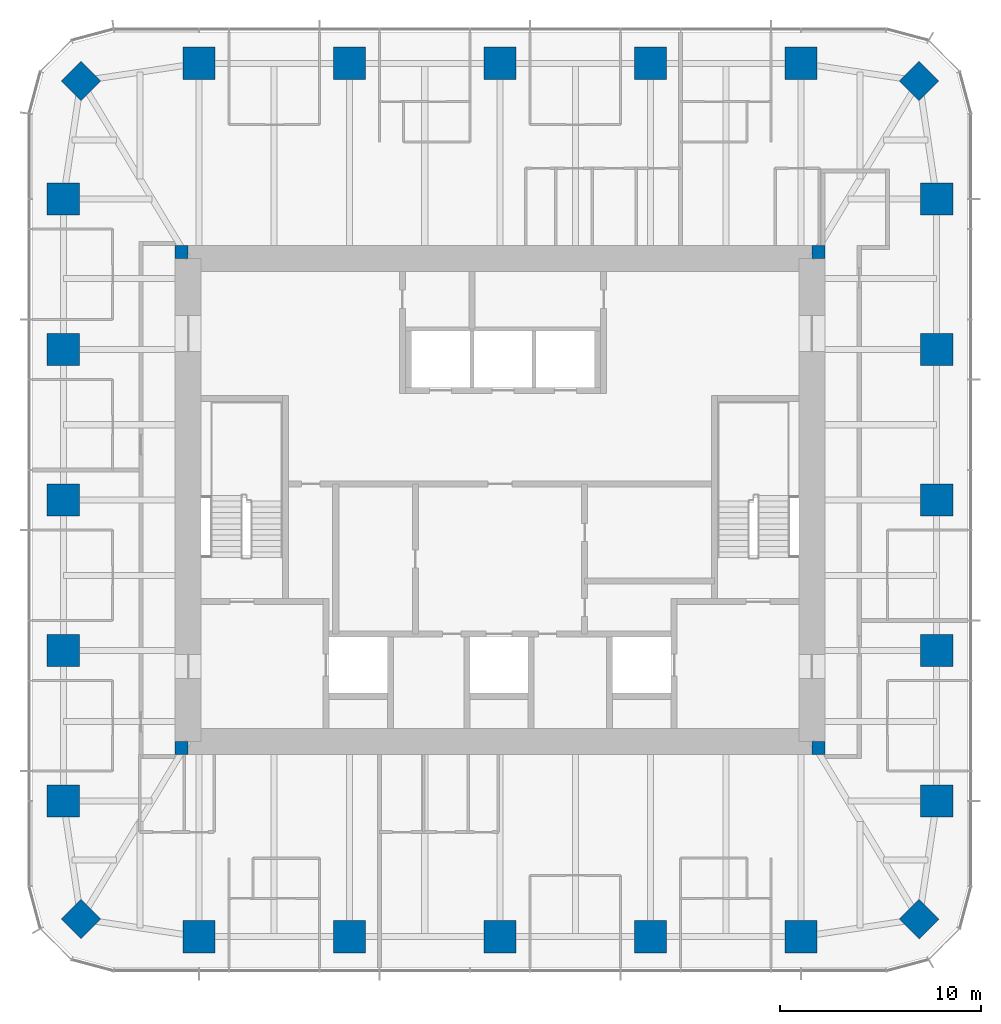
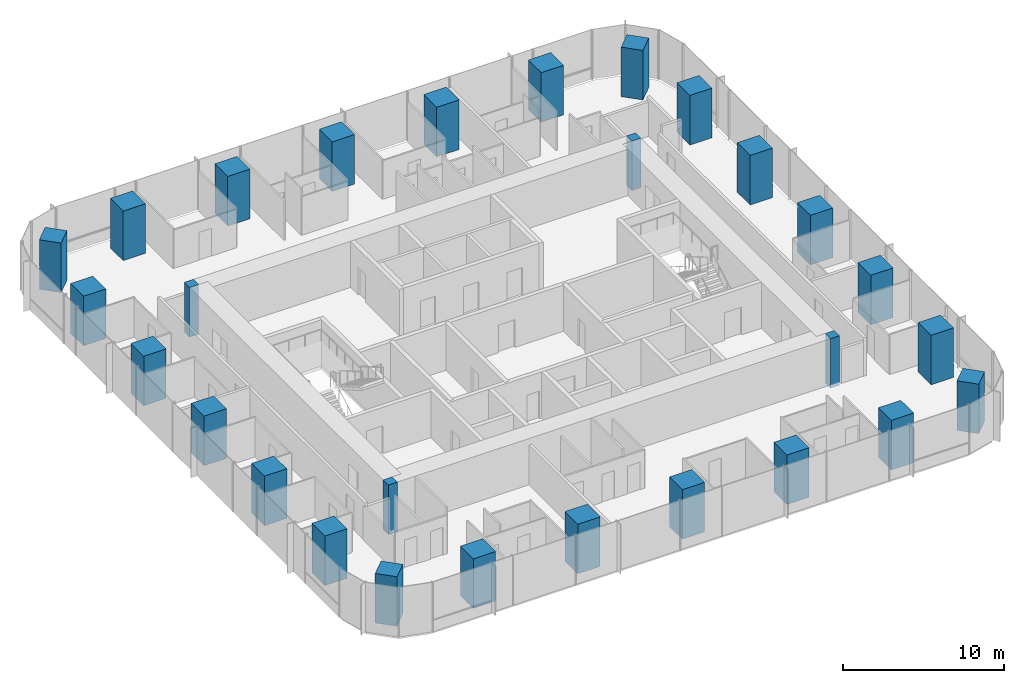
# One storey, part 1 of 12: 28 columns.
"""IFC4 building model written with IfcOpenShell, lengths in metres."""

from ifc_helpers import new_model, si_unit, direction, frame, origin, origin_2d, place, context, subcontext, project, spatial, rectangle, extrude, material, material_profile, profile_set, type_object, element, save


model = new_model("IFC4")

# Units and contexts
model_context = context("Model", 3, precision=1e-05, world=origin(), true_north=direction((0.0, 1.0)))
body_context = subcontext(model_context, "Body", "Model", "MODEL_VIEW")
ifc_project = project(units=[si_unit("LENGTHUNIT", "METRE"), si_unit("AREAUNIT", "SQUARE_METRE"), si_unit("VOLUMEUNIT", "CUBIC_METRE"), si_unit("PLANEANGLEUNIT", "RADIAN"), si_unit("MASSUNIT", "GRAM", prefix="KILO")], contexts=[model_context])

# Site, building, storey
site_placement = place(None, origin())
site = spatial("IfcSite", under=ifc_project, at=site_placement, CompositionType="ELEMENT")
building_placement = place(site_placement, origin())
building = spatial("IfcBuilding", under=site, at=building_placement, Name="Khuree Lantern Residences", CompositionType="ELEMENT")
storey_placement = place(building_placement, frame((0.0, 0.0, 319.5)))
storey = spatial("IfcBuildingStorey", under=building, at=storey_placement, Name="L80", CompositionType="ELEMENT", Elevation=319.5)

# Columns
ifc_material_1 = material(Name="Concrete C70/85", Category="concrete")
ifc_material_profile_1 = material_profile(ifc_material_1, rectangle(XDim=1.39990234375, YDim=1.39990234375, at=origin_2d()), Name="RC 1400X1400")
ifc_profile_set_1 = profile_set([ifc_material_profile_1], Name="Concrete C70/85")
column_type_1 = type_object("IfcColumnType", Name="CC1400 PERIMETER CORNER COLUMN RC 1400X1400", PredefinedType="COLUMN", material=ifc_profile_set_1)
for number, where, z_axis, x_axis, name in (
    (1, (20.8212890625, 20.8212890625, 0.0), (0.0, 0.0, 1.0), (0.707106781187, -0.707106781187, 0.0), "Perimeter column NE"),
    (2, (20.8212890625, -20.8212890625, 0.0), (0.0, 0.0, 1.0), (0.707106781187, 0.707106781187, 0.0), "Perimeter column SE"),
    (3, (-20.8212890625, -20.8212890625, 0.0), (0.0, 0.0, 1.0), (0.707106781187, -0.707106781187, 0.0), "Perimeter column SW"),
    (4, (-20.8212890625, 20.8212890625, 0.0), (0.0, 0.0, 1.0), (0.707106781187, 0.707106781187, 0.0), "Perimeter column NW"),
):
    element("IfcColumn", number, at=place(storey_placement, frame(where, z_axis=z_axis, x_axis=x_axis)), inside=storey, type_object=column_type_1, Name=name, PredefinedType="COLUMN", context=body_context, shape_type="SweptSolid", body=[
        extrude(rectangle(XDim=1.39990234375, YDim=1.39990234375, at=origin_2d()), origin(), (0.0, 0.0, 1.0), 3.75),
    ])
ifc_material_2 = material(Name="Concrete C50/60", Category="concrete")
ifc_material_profile_2 = material_profile(ifc_material_2, rectangle(XDim=0.64990234375, YDim=0.64990234375, at=origin_2d()), Name="RC 650X650")
ifc_profile_set_2 = profile_set([ifc_material_profile_2], Name="Concrete C50/60")
column_type_2 = type_object("IfcColumnType", Name="CP650-C50 CORE CORNER PIER C50 RC 650X650", PredefinedType="COLUMN", material=ifc_profile_set_2)
for number, where, z_axis, x_axis, name in (
    (5, (15.824951171875, 12.324951171875, -0.25), (0.0, 0.0, 1.0), (1.0, 0.0, 0.0), "Core corner pier NE"),
    (6, (-15.824951171875, 12.324951171875, -0.25), (0.0, 0.0, 1.0), (1.0, 0.0, 0.0), "Core corner pier NW"),
    (7, (-15.824951171875, -12.324951171875, -0.25), (0.0, 0.0, 1.0), (1.0, 0.0, 0.0), "Core corner pier SW"),
    (8, (15.824951171875, -12.324951171875, -0.25), (0.0, 0.0, 1.0), (1.0, 0.0, 0.0), "Core corner pier SE"),
):
    element("IfcColumn", number, at=place(storey_placement, frame(where, z_axis=z_axis, x_axis=x_axis)), inside=storey, type_object=column_type_2, Name=name, PredefinedType="COLUMN", context=body_context, shape_type="SweptSolid", body=[
        extrude(rectangle(XDim=0.64990234375, YDim=0.64990234375, at=origin_2d()), origin(), (0.0, 0.0, 1.0), 3.75),
    ])
ifc_material_profile_3 = material_profile(ifc_material_1, rectangle(XDim=1.60009765625, YDim=1.60009765625, at=origin_2d()), Name="RC 1600X1600")
ifc_profile_set_3 = profile_set([ifc_material_profile_3], Name="Concrete C70/85")
column_type_3 = type_object("IfcColumnType", Name="PC5 PERIMETER COLUMN RC 1600X1600", PredefinedType="COLUMN", material=ifc_profile_set_3)
for number, where, z_axis, x_axis, name in (
    (9, (-14.9599609375, 21.699951171875, 0.0), (0.0, 0.0, 1.0), (1.0, 0.0, 0.0), "Perimeter column N1"),
    (10, (-7.47998046875, 21.699951171875, 0.0), (0.0, 0.0, 1.0), (1.0, 0.0, 0.0), "Perimeter column N2"),
    (11, (0.0, 21.699951171875, 0.0), (0.0, 0.0, 1.0), (1.0, 0.0, 0.0), "Perimeter column N3"),
    (12, (7.47998046875, 21.699951171875, 0.0), (0.0, 0.0, 1.0), (1.0, 0.0, 0.0), "Perimeter column N4"),
    (13, (14.9599609375, 21.699951171875, 0.0), (0.0, 0.0, 1.0), (1.0, 0.0, 0.0), "Perimeter column N5"),
    (14, (21.699951171875, 14.9599609375, 0.0), (0.0, 0.0, 1.0), (0.0, 1.0, 0.0), "Perimeter column E1"),
    (15, (21.699951171875, 7.47998046875, 0.0), (0.0, 0.0, 1.0), (0.0, 1.0, 0.0), "Perimeter column E2"),
    (16, (21.699951171875, 0.0, 0.0), (0.0, 0.0, 1.0), (0.0, 1.0, 0.0), "Perimeter column E3"),
    (17, (21.699951171875, -7.47998046875, 0.0), (0.0, 0.0, 1.0), (0.0, 1.0, 0.0), "Perimeter column E4"),
    (18, (21.699951171875, -14.9599609375, 0.0), (0.0, 0.0, 1.0), (0.0, 1.0, 0.0), "Perimeter column E5"),
    (19, (14.9599609375, -21.699951171875, 0.0), (0.0, 0.0, 1.0), (1.0, 0.0, 0.0), "Perimeter column S1"),
    (20, (7.47998046875, -21.699951171875, 0.0), (0.0, 0.0, 1.0), (1.0, 0.0, 0.0), "Perimeter column S2"),
    (21, (0.0, -21.699951171875, 0.0), (0.0, 0.0, 1.0), (1.0, 0.0, 0.0), "Perimeter column S3"),
    (22, (-7.47998046875, -21.699951171875, 0.0), (0.0, 0.0, 1.0), (1.0, 0.0, 0.0), "Perimeter column S4"),
    (23, (-14.9599609375, -21.699951171875, 0.0), (0.0, 0.0, 1.0), (1.0, 0.0, 0.0), "Perimeter column S5"),
    (24, (-21.699951171875, -14.9599609375, 0.0), (0.0, 0.0, 1.0), (0.0, 1.0, 0.0), "Perimeter column W1"),
    (25, (-21.699951171875, -7.47998046875, 0.0), (0.0, 0.0, 1.0), (0.0, 1.0, 0.0), "Perimeter column W2"),
    (26, (-21.699951171875, 0.0, 0.0), (0.0, 0.0, 1.0), (0.0, 1.0, 0.0), "Perimeter column W3"),
    (27, (-21.699951171875, 7.47998046875, 0.0), (0.0, 0.0, 1.0), (0.0, 1.0, 0.0), "Perimeter column W4"),
    (28, (-21.699951171875, 14.9599609375, 0.0), (0.0, 0.0, 1.0), (0.0, 1.0, 0.0), "Perimeter column W5"),
):
    element("IfcColumn", number, at=place(storey_placement, frame(where, z_axis=z_axis, x_axis=x_axis)), inside=storey, type_object=column_type_3, Name=name, PredefinedType="COLUMN", context=body_context, shape_type="SweptSolid", body=[
        extrude(rectangle(XDim=1.60009765625, YDim=1.60009765625, at=origin_2d()), origin(), (0.0, 0.0, 1.0), 3.75),
    ])

save(model, "model.ifc")
